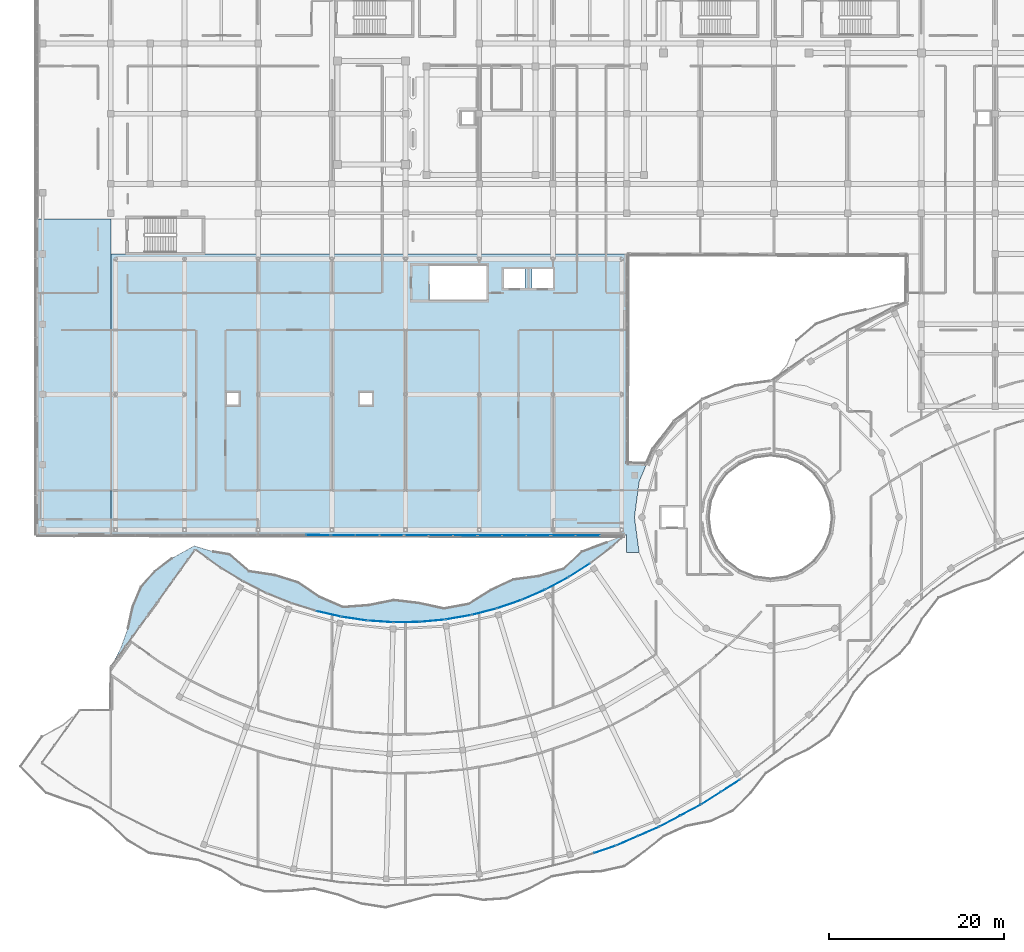
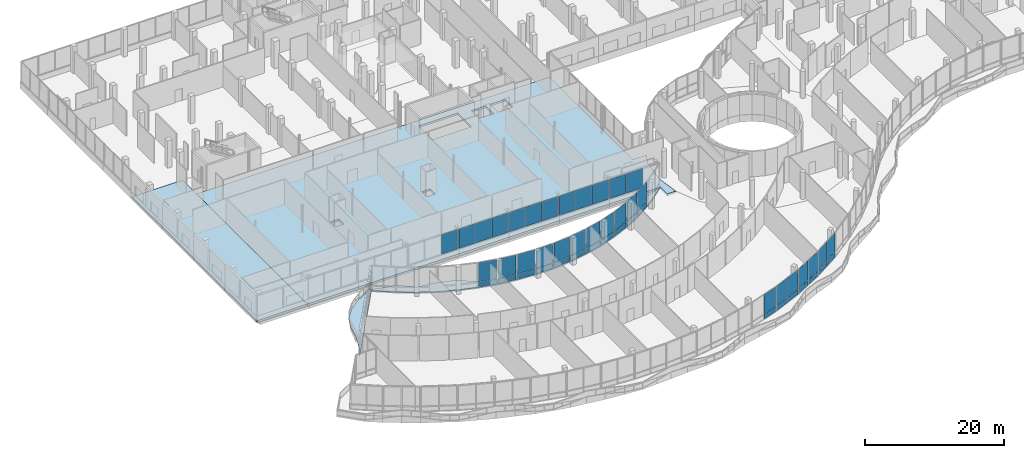
# One storey, part 116 of 155: 48 plates, 3 slabs, 20 elements without a shape of their own.
"""IFC4 building model written with IfcOpenShell, lengths in metres."""

import ifcopenshell
import ifcopenshell.guid

model = None  # the IFC model being written
_history = None  # IfcOwnerHistory: only IFC2X3 demands one
_inside = {}  # id of a spatial element -> (the spatial element, [elements in it])
_under = {}  # id of a project, library or spatial element -> (it, [spatial elements below it])
_declared = {}  # id of a project -> (the project, [libraries it declares])
_typed = {}  # id of a type object -> (the type object, [elements of that type])
_made_of = {}  # id of a material, layer set ... -> (it, [elements and type objects made of it])


def new_model(schema):
    """Start an empty IFC model of exactly this schema.

    Asked for "IFC4X3", IfcOpenShell would pick the latest addendum, in which some entities
    have other attributes; the version numbers below select the first issue.
    IFC2X3 requires an IfcOwnerHistory on every rooted entity: one is made here for all.
    """
    global model, _history
    if schema == "IFC4X3":
        model = ifcopenshell.file(schema_version=(4, 3, 0, 0))
    else:
        model = ifcopenshell.file(schema=schema)
    _inside.clear()
    _under.clear()
    _declared.clear()
    _typed.clear()
    _made_of.clear()
    _history = None
    if model.schema == "IFC2X3":
        org = make("IfcOrganization", Name="unknown")
        user = make(
            "IfcPersonAndOrganization",
            ThePerson=make("IfcPerson", FamilyName="unknown"),
            TheOrganization=org,
        )
        app = make(
            "IfcApplication",
            ApplicationDeveloper=org,
            Version="unknown",
            ApplicationFullName="unknown",
            ApplicationIdentifier="unknown",
        )
        _history = make(
            "IfcOwnerHistory",
            OwningUser=user,
            OwningApplication=app,
            ChangeAction="ADDED",
            CreationDate=0,
        )
    return model


def make(cls, **values):
    """One entity of the class cls with the attributes given. An attribute that is None is left unset."""
    return model.create_entity(
        cls, **{name: value for name, value in values.items() if value is not None}
    )


def rooted(cls, **values):
    """An entity with a GlobalId (a new one), such as an element, a storey or a relation."""
    return make(cls, GlobalId=ifcopenshell.guid.new(), OwnerHistory=_history, **values)


def si_unit(unit_type, name, prefix=None):
    """IfcSIUnit, for example si_unit("LENGTHUNIT", "METRE", prefix="MILLI")."""
    return make("IfcSIUnit", UnitType=unit_type, Prefix=prefix, Name=name)


def assignment(units):
    """IfcUnitAssignment: the units of a project."""
    return None if units is None else make("IfcUnitAssignment", Units=units)


def point(xyz):
    """IfcCartesianPoint."""
    return None if xyz is None else make("IfcCartesianPoint", Coordinates=xyz)


def direction(xyz):
    """IfcDirection."""
    return None if xyz is None else make("IfcDirection", DirectionRatios=xyz)


def frame(location, z_axis=None, x_axis=None):
    """IfcAxis2Placement3D, a coordinate frame: its origin and axes. An axis left out is left unset."""
    return make(
        "IfcAxis2Placement3D",
        Location=point(location),
        Axis=direction(z_axis),
        RefDirection=direction(x_axis),
    )


def frame_2d(location, x_axis=None):
    """IfcAxis2Placement2D, a coordinate frame in the plane: its origin and x axis."""
    return make(
        "IfcAxis2Placement2D", Location=point(location), RefDirection=direction(x_axis)
    )


def origin():
    """The frame at (0, 0, 0) with its axes left unset."""
    return frame((0.0, 0.0, 0.0))


def origin_2d():
    """The frame at (0, 0) in the plane with its x axis left unset."""
    return frame_2d((0.0, 0.0))


def place(relative_to, where):
    """IfcLocalPlacement: puts the frame where relative to a parent placement (None: the world)."""
    return make(
        "IfcLocalPlacement", PlacementRelTo=relative_to, RelativePlacement=where
    )


def context(
    kind, dimensions, precision=None, world=None, true_north=None, identifier=None
):
    """IfcGeometricRepresentationContext, for example the 3D "Model" context."""
    return make(
        "IfcGeometricRepresentationContext",
        ContextIdentifier=identifier,
        ContextType=kind,
        CoordinateSpaceDimension=dimensions,
        Precision=precision,
        WorldCoordinateSystem=world,
        TrueNorth=true_north,
    )


def subcontext(parent, identifier, kind, view, scale=None):
    """IfcGeometricRepresentationSubContext, for example "Body" below "Model"."""
    return make(
        "IfcGeometricRepresentationSubContext",
        ContextIdentifier=identifier,
        ContextType=kind,
        ParentContext=parent,
        TargetScale=scale,
        TargetView=view,
    )


def project(units=None, contexts=None):
    """IfcProject with its units and contexts."""
    return rooted(
        "IfcProject",
        Name="project",
        RepresentationContexts=contexts,
        UnitsInContext=assignment(units),
    )


def spatial(cls, under=None, at=None, **own):
    """A site, building, storey or space (cls), placed at a placement, below another one or the project."""
    s = rooted(cls, ObjectPlacement=at, **own)
    if under is not None:
        _under.setdefault(under.id(), (under, []))[1].append(s)
    return s


def polyline(points):
    """IfcPolyline through the points."""
    return make("IfcPolyline", Points=[point(p) for p in points])


def profile(cls, at=None, kind="AREA", **sizes):
    """A parametric profile (cls). Its sizes go by their IFC names, for example OverallWidth=200.0."""
    return make(cls, ProfileType=kind, Position=at, **sizes)


def rectangle(**sizes):
    """IfcRectangleProfileDef."""
    return profile("IfcRectangleProfileDef", **sizes)


def outline(outer, holes=None, kind="AREA"):
    """IfcArbitraryClosedProfileDef: a profile drawn as a closed curve; with holes, ...WithVoids."""
    if holes is None:
        return make("IfcArbitraryClosedProfileDef", ProfileType=kind, OuterCurve=outer)
    return make(
        "IfcArbitraryProfileDefWithVoids",
        ProfileType=kind,
        OuterCurve=outer,
        InnerCurves=holes,
    )


def extrude(swept, where, along, depth):
    """IfcExtrudedAreaSolid: the profile swept, set in the frame where, extruded along a direction by depth."""
    return make(
        "IfcExtrudedAreaSolid",
        SweptArea=swept,
        Position=where,
        ExtrudedDirection=direction(along),
        Depth=depth,
    )


def shape(context_of_items, identifier, shape_type, items):
    """IfcShapeRepresentation: the items that make up one representation, for example the "Body"."""
    return make(
        "IfcShapeRepresentation",
        ContextOfItems=context_of_items,
        RepresentationIdentifier=identifier,
        RepresentationType=shape_type,
        Items=items,
    )


def material(Name=None, Category=None):
    """IfcMaterial."""
    return make("IfcMaterial", Name=Name, Category=Category)


def layer(
    of_material, thickness, ventilated=None, Name=None, Category=None, Priority=None
):
    """IfcMaterialLayer: one layer of a wall or slab, of a material (None: an air gap)."""
    return make(
        "IfcMaterialLayer",
        Material=of_material,
        LayerThickness=thickness,
        IsVentilated=ventilated,
        Name=Name,
        Category=Category,
        Priority=Priority,
    )


def layer_set(layers, Name=None):
    """IfcMaterialLayerSet."""
    return make("IfcMaterialLayerSet", MaterialLayers=layers, LayerSetName=Name)


def made_of(thing, what):
    """Note that an element or type object is made of a material, layer set ...; save() writes the relation."""
    if what is not None:
        _made_of.setdefault(what.id(), (what, []))[1].append(thing)
    return thing


def type_object(cls, material=None, **own):
    """A type object (cls), such as IfcWallType, which elements share."""
    return made_of(rooted(cls, **own), material)


def element(
    cls,
    number,
    at=None,
    inside=None,
    cuts=None,
    type_object=None,
    material=None,
    context=None,
    identifier="Body",
    shape_type=None,
    held_by="IfcProductDefinitionShape",
    body=None,
    shapes=None,
    **own,
):
    """One element of the class cls, such as IfcWall. Its Tag is "e" and its number.

    at: its placement. inside: the storey or other place that contains it. cuts: it is an
    opening in that element (IfcRelVoidsElement). A single representation is given by context,
    identifier, shape_type and body (its items); several are given by shapes. held_by: the class
    of the entity that holds the representations. save() writes the other relations.
    """
    e = rooted(cls, Tag="e%d" % number, ObjectPlacement=at, **own)
    if body is not None:
        shapes = [shape(context, identifier, shape_type, body)]
    if shapes is not None:
        e.Representation = make(held_by, Representations=shapes)
    if inside is not None:
        _inside.setdefault(inside.id(), (inside, []))[1].append(e)
    if cuts is not None:
        rooted(
            "IfcRelVoidsElement", RelatingBuildingElement=cuts, RelatedOpeningElement=e
        )
    if type_object is not None:
        _typed.setdefault(type_object.id(), (type_object, []))[1].append(e)
    return made_of(e, material)


def aggregate(whole, parts):
    """IfcRelAggregates: a whole, such as a stair, and the parts it consists of."""
    return rooted("IfcRelAggregates", RelatingObject=whole, RelatedObjects=parts)


def save(model, path):
    """Write the relations noted so far, then the file.

    IfcRelAggregates (storeys below a building ...), IfcRelContainedInSpatialStructure (elements
    in a storey), IfcRelDefinesByType, IfcRelAssociatesMaterial and IfcRelDeclares: one each for
    every whole, place, type object, material and project.
    """
    for whole, parts in _under.values():
        aggregate(whole, parts)
    for where, things in _inside.values():
        rooted(
            "IfcRelContainedInSpatialStructure",
            RelatedElements=things,
            RelatingStructure=where,
        )
    for kind, things in _typed.values():
        rooted("IfcRelDefinesByType", RelatedObjects=things, RelatingType=kind)
    for what, things in _made_of.values():
        rooted("IfcRelAssociatesMaterial", RelatedObjects=things, RelatingMaterial=what)
    for by, libraries in _declared.values():
        rooted("IfcRelDeclares", RelatingContext=by, RelatedDefinitions=libraries)
    model.write(path)


model = new_model("IFC4")

# Units and contexts
model_context = context("Model", 3, precision=1e-05, world=origin(), true_north=direction((0.0, 1.0)))
body_context = subcontext(model_context, "Body", "Model", "MODEL_VIEW")
ifc_project = project(units=[si_unit("LENGTHUNIT", "METRE"), si_unit("AREAUNIT", "SQUARE_METRE"), si_unit("VOLUMEUNIT", "CUBIC_METRE"), si_unit("PLANEANGLEUNIT", "RADIAN"), si_unit("MASSUNIT", "GRAM", prefix="KILO")], contexts=[model_context])

# Site, building, storey
site_placement = place(None, origin())
site = spatial("IfcSite", under=ifc_project, at=site_placement, CompositionType="ELEMENT")
building_placement = place(site_placement, origin())
building = spatial("IfcBuilding", under=site, at=building_placement, Name="Selatvlak General Hospital", CompositionType="ELEMENT")
storey_placement = place(building_placement, frame((0.0, 0.0, 10.199951171875)))
storey = spatial("IfcBuildingStorey", under=building, at=storey_placement, Name="L02", CompositionType="ELEMENT", Elevation=10.199951171875)

# Curtain wall, plates
ifc_material_1 = material(Name="Solar-control Low-E double glazing", Category="glass")
curtain_wall_type_1 = type_object("IfcCurtainWallType", Name="CW-CW-01", PredefinedType="USERDEFINED", material=ifc_material_1)
curtain_wall_1_placement = place(storey_placement, origin())
curtain_wall_1 = element("IfcCurtainWall", 1, at=curtain_wall_1_placement, inside=storey, type_object=curtain_wall_type_1, Name="Glazed facade curtain wall CW-L02-0299", ObjectType="UNITISED CURTAIN WALL", PredefinedType="USERDEFINED")
ifc_layer_1 = layer(ifc_material_1, 0.028076171875, Name="Solar-control Low-E double glazing", Category="glass")
ifc_layer_set_1 = layer_set([ifc_layer_1], Name="Solar-control Low-E double glazing")
plate_type = type_object("IfcPlateType", Name="CWP-01", PredefinedType="CURTAIN_PANEL", material=ifc_layer_set_1)
plate_1_placement = place(storey_placement, frame((93.443115234375, 23.38671875, 0.06494140625), z_axis=(0.0, 0.0, 1.0), x_axis=(-0.842264530381, -0.539064431086, 0.0)))
plate_1 = element("IfcPlate", 2, at=plate_1_placement, type_object=plate_type, Name="CW-01 panel 1.1", PredefinedType="CURTAIN_PANEL", context=body_context, shape_type="SweptSolid", body=[
    extrude(rectangle(XDim=2.5458984375, YDim=0.028076171875, at=origin_2d()), origin(), (0.0, 0.0, 1.0), 0.8525390625),
])
plate_2_placement = place(storey_placement, frame((93.443115234375, 23.38671875, 0.982421875), z_axis=(0.0, 0.0, 1.0), x_axis=(-0.842264530381, -0.539064431086, 0.0)))
plate_2 = element("IfcPlate", 3, at=plate_2_placement, type_object=plate_type, Name="CW-01 panel 1.2", PredefinedType="CURTAIN_PANEL", context=body_context, shape_type="SweptSolid", body=[
    extrude(rectangle(XDim=2.5458984375, YDim=0.028076171875, at=origin_2d()), origin(), (0.0, 0.0, 1.0), 3.41259765625),
])
plate_3_placement = place(storey_placement, frame((91.243896484375, 21.979248046875, 0.06494140625), z_axis=(0.0, 0.0, 1.0), x_axis=(-0.842264530381, -0.539064431086, 0.0)))
plate_3 = element("IfcPlate", 4, at=plate_3_placement, type_object=plate_type, Name="CW-01 panel 2.1", PredefinedType="CURTAIN_PANEL", context=body_context, shape_type="SweptSolid", body=[
    extrude(rectangle(XDim=2.5458984375, YDim=0.028076171875, at=origin_2d()), origin(), (0.0, 0.0, 1.0), 0.8525390625),
])
plate_4_placement = place(storey_placement, frame((91.243896484375, 21.979248046875, 0.982421875), z_axis=(0.0, 0.0, 1.0), x_axis=(-0.842264530381, -0.539064431086, 0.0)))
plate_4 = element("IfcPlate", 5, at=plate_4_placement, type_object=plate_type, Name="CW-01 panel 2.2", PredefinedType="CURTAIN_PANEL", context=body_context, shape_type="SweptSolid", body=[
    extrude(rectangle(XDim=2.5458984375, YDim=0.028076171875, at=origin_2d()), origin(), (0.0, 0.0, 1.0), 3.41259765625),
])
aggregate(curtain_wall_1, [plate_1, plate_2, plate_3, plate_4])

curtain_wall_type_2 = type_object("IfcCurtainWallType", Name="CW-CW-02", PredefinedType="USERDEFINED", material=ifc_material_1)
curtain_wall_2_placement = place(storey_placement, origin())
curtain_wall_2 = element("IfcCurtainWall", 6, at=curtain_wall_2_placement, inside=storey, type_object=curtain_wall_type_2, Name="Glazed facade curtain wall CW-L02-0300", ObjectType="UNITISED CURTAIN WALL", PredefinedType="USERDEFINED")
plate_5_placement = place(storey_placement, frame((88.866943359375, 20.58984375, 0.06494140625), z_axis=(0.0, 0.0, 1.0), x_axis=(-0.882426269162, -0.470450719515, 0.0)))
plate_5 = element("IfcPlate", 7, at=plate_5_placement, type_object=plate_type, Name="CW-02 panel 1.1", PredefinedType="CURTAIN_PANEL", context=body_context, shape_type="SweptSolid", body=[
    extrude(rectangle(XDim=2.544677734375, YDim=0.028076171875, at=origin_2d()), origin(), (0.0, 0.0, 1.0), 0.8525390625),
])
plate_6_placement = place(storey_placement, frame((88.866943359375, 20.58984375, 0.982421875), z_axis=(0.0, 0.0, 1.0), x_axis=(-0.882426269162, -0.470450719515, 0.0)))
plate_6 = element("IfcPlate", 8, at=plate_6_placement, type_object=plate_type, Name="CW-02 panel 1.2", PredefinedType="CURTAIN_PANEL", context=body_context, shape_type="SweptSolid", body=[
    extrude(rectangle(XDim=2.544677734375, YDim=0.028076171875, at=origin_2d()), origin(), (0.0, 0.0, 1.0), 3.41259765625),
])
plate_7_placement = place(storey_placement, frame((86.564208984375, 19.362060546875, 0.06494140625), z_axis=(0.0, 0.0, 1.0), x_axis=(-0.882426269162, -0.470450719515, 0.0)))
plate_7 = element("IfcPlate", 9, at=plate_7_placement, type_object=plate_type, Name="CW-02 panel 2.1", PredefinedType="CURTAIN_PANEL", context=body_context, shape_type="SweptSolid", body=[
    extrude(rectangle(XDim=2.544677734375, YDim=0.028076171875, at=origin_2d()), origin(), (0.0, 0.0, 1.0), 0.8525390625),
])
plate_8_placement = place(storey_placement, frame((86.564208984375, 19.362060546875, 0.982421875), z_axis=(0.0, 0.0, 1.0), x_axis=(-0.882426269162, -0.470450719515, 0.0)))
plate_8 = element("IfcPlate", 10, at=plate_8_placement, type_object=plate_type, Name="CW-02 panel 2.2", PredefinedType="CURTAIN_PANEL", context=body_context, shape_type="SweptSolid", body=[
    extrude(rectangle(XDim=2.544677734375, YDim=0.028076171875, at=origin_2d()), origin(), (0.0, 0.0, 1.0), 3.41259765625),
])
aggregate(curtain_wall_2, [plate_5, plate_6, plate_7, plate_8])

curtain_wall_3_placement = place(storey_placement, origin())
curtain_wall_3 = element("IfcCurtainWall", 11, at=curtain_wall_3_placement, inside=storey, type_object=curtain_wall_type_1, Name="Glazed facade curtain wall CW-L02-0301", ObjectType="UNITISED CURTAIN WALL", PredefinedType="USERDEFINED")
plate_9_placement = place(storey_placement, frame((84.083984375, 18.16552734375, 0.06494140625), z_axis=(0.0, 0.0, 1.0), x_axis=(-0.916781197822, -0.399389828763, 0.0)))
plate_9 = element("IfcPlate", 12, at=plate_9_placement, type_object=plate_type, Name="CW-01 panel 1.1", PredefinedType="CURTAIN_PANEL", context=body_context, shape_type="SweptSolid", body=[
    extrude(rectangle(XDim=2.546630859375, YDim=0.028076171875, at=origin_2d()), origin(), (0.0, 0.0, 1.0), 0.8525390625),
])
plate_10_placement = place(storey_placement, frame((84.083984375, 18.16552734375, 0.982421875), z_axis=(0.0, 0.0, 1.0), x_axis=(-0.916781197822, -0.399389828763, 0.0)))
plate_10 = element("IfcPlate", 13, at=plate_10_placement, type_object=plate_type, Name="CW-01 panel 1.2", PredefinedType="CURTAIN_PANEL", context=body_context, shape_type="SweptSolid", body=[
    extrude(rectangle(XDim=2.546630859375, YDim=0.028076171875, at=origin_2d()), origin(), (0.0, 0.0, 1.0), 3.41259765625),
])
plate_11_placement = place(storey_placement, frame((81.68994140625, 17.12255859375, 0.06494140625), z_axis=(0.0, 0.0, 1.0), x_axis=(-0.916781197822, -0.399389828763, 0.0)))
plate_11 = element("IfcPlate", 14, at=plate_11_placement, type_object=plate_type, Name="CW-01 panel 2.1", PredefinedType="CURTAIN_PANEL", context=body_context, shape_type="SweptSolid", body=[
    extrude(rectangle(XDim=2.546630859375, YDim=0.028076171875, at=origin_2d()), origin(), (0.0, 0.0, 1.0), 0.8525390625),
])
plate_12_placement = place(storey_placement, frame((81.68994140625, 17.12255859375, 0.982421875), z_axis=(0.0, 0.0, 1.0), x_axis=(-0.916781197822, -0.399389828763, 0.0)))
plate_12 = element("IfcPlate", 15, at=plate_12_placement, type_object=plate_type, Name="CW-01 panel 2.2", PredefinedType="CURTAIN_PANEL", context=body_context, shape_type="SweptSolid", body=[
    extrude(rectangle(XDim=2.546630859375, YDim=0.028076171875, at=origin_2d()), origin(), (0.0, 0.0, 1.0), 3.41259765625),
])
aggregate(curtain_wall_3, [plate_9, plate_10, plate_11, plate_12])

curtain_wall_4_placement = place(storey_placement, origin())
curtain_wall_4 = element("IfcCurtainWall", 16, at=curtain_wall_4_placement, inside=storey, type_object=curtain_wall_type_2, Name="Glazed facade curtain wall CW-L02-0302", ObjectType="UNITISED CURTAIN WALL", PredefinedType="USERDEFINED")
plate_13_placement = place(storey_placement, frame((79.121826171875, 16.12646484375, 0.06494140625), z_axis=(0.0, 0.0, 1.0), x_axis=(-0.945848129563, -0.324609481996, 0.0)))
plate_13 = element("IfcPlate", 17, at=plate_13_placement, type_object=plate_type, Name="CW-02 panel 1.1", PredefinedType="CURTAIN_PANEL", context=body_context, shape_type="SweptSolid", body=[
    extrude(rectangle(XDim=2.547119140625, YDim=0.028076171875, at=origin_2d()), origin(), (0.0, 0.0, 1.0), 0.8525390625),
])
plate_14_placement = place(storey_placement, frame((79.121826171875, 16.12646484375, 0.982421875), z_axis=(0.0, 0.0, 1.0), x_axis=(-0.945848129563, -0.324609481996, 0.0)))
plate_14 = element("IfcPlate", 18, at=plate_14_placement, type_object=plate_type, Name="CW-02 panel 1.2", PredefinedType="CURTAIN_PANEL", context=body_context, shape_type="SweptSolid", body=[
    extrude(rectangle(XDim=2.547119140625, YDim=0.028076171875, at=origin_2d()), origin(), (0.0, 0.0, 1.0), 3.41259765625),
])
aggregate(curtain_wall_4, [plate_13, plate_14])

curtain_wall_5_placement = place(storey_placement, origin())
curtain_wall_5 = element("IfcCurtainWall", 19, at=curtain_wall_5_placement, inside=storey, type_object=curtain_wall_type_2, Name="Glazed facade curtain wall CW-L02-0326", ObjectType="UNITISED CURTAIN WALL", PredefinedType="USERDEFINED")
plate_15_placement = place(storey_placement, frame((47.633056640625, 42.9765625, 0.06494140625), z_axis=(0.0, 0.0, 1.0), x_axis=(0.974478297582, -0.224481730976, 0.0)))
plate_15 = element("IfcPlate", 20, at=plate_15_placement, type_object=plate_type, Name="CW-02 panel 1.1", PredefinedType="CURTAIN_PANEL", context=body_context, shape_type="SweptSolid", body=[
    extrude(rectangle(XDim=2.77001953125, YDim=0.028076171875, at=origin_2d()), origin(), (0.0, 0.0, 1.0), 0.8525390625),
])
plate_16_placement = place(storey_placement, frame((47.633056640625, 42.9765625, 0.982421875), z_axis=(0.0, 0.0, 1.0), x_axis=(0.974478297582, -0.224481730976, 0.0)))
plate_16 = element("IfcPlate", 21, at=plate_16_placement, type_object=plate_type, Name="CW-02 panel 1.2", PredefinedType="CURTAIN_PANEL", context=body_context, shape_type="SweptSolid", body=[
    extrude(rectangle(XDim=2.77001953125, YDim=0.028076171875, at=origin_2d()), origin(), (0.0, 0.0, 1.0), 3.41259765625),
])
aggregate(curtain_wall_5, [plate_15, plate_16])

curtain_wall_6_placement = place(storey_placement, origin())
curtain_wall_6 = element("IfcCurtainWall", 22, at=curtain_wall_6_placement, inside=storey, type_object=curtain_wall_type_1, Name="Glazed facade curtain wall CW-L02-0327", ObjectType="UNITISED CURTAIN WALL", PredefinedType="USERDEFINED")
plate_17_placement = place(storey_placement, frame((50.56005859375, 42.427001953125, 0.06494140625), z_axis=(0.0, 0.0, 1.0), x_axis=(0.989262603626, -0.146148900327, 0.0)))
plate_17 = element("IfcPlate", 23, at=plate_17_placement, type_object=plate_type, Name="CW-01 panel 1.1", PredefinedType="CURTAIN_PANEL", context=body_context, shape_type="SweptSolid", body=[
    extrude(rectangle(XDim=2.771240234375, YDim=0.028076171875, at=origin_2d()), origin(), (0.0, 0.0, 1.0), 0.8525390625),
])
plate_18_placement = place(storey_placement, frame((50.56005859375, 42.427001953125, 0.982421875), z_axis=(0.0, 0.0, 1.0), x_axis=(0.989262603626, -0.146148900327, 0.0)))
plate_18 = element("IfcPlate", 24, at=plate_18_placement, type_object=plate_type, Name="CW-01 panel 1.2", PredefinedType="CURTAIN_PANEL", context=body_context, shape_type="SweptSolid", body=[
    extrude(rectangle(XDim=2.771240234375, YDim=0.028076171875, at=origin_2d()), origin(), (0.0, 0.0, 1.0), 3.41259765625),
])
aggregate(curtain_wall_6, [plate_17, plate_18])

curtain_wall_7_placement = place(storey_placement, origin())
curtain_wall_7 = element("IfcCurtainWall", 25, at=curtain_wall_7_placement, inside=storey, type_object=curtain_wall_type_2, Name="Glazed facade curtain wall CW-L02-0328", ObjectType="UNITISED CURTAIN WALL", PredefinedType="USERDEFINED")
plate_19_placement = place(storey_placement, frame((53.52294921875, 42.111572265625, 0.06494140625), z_axis=(0.0, 0.0, 1.0), x_axis=(0.997740728699, -0.067182127799, 0.0)))
plate_19 = element("IfcPlate", 26, at=plate_19_placement, type_object=plate_type, Name="CW-02 panel 1.1", PredefinedType="CURTAIN_PANEL", context=body_context, shape_type="SweptSolid", body=[
    extrude(rectangle(XDim=2.7724609375, YDim=0.028076171875, at=origin_2d()), origin(), (0.0, 0.0, 1.0), 0.8525390625),
])
plate_20_placement = place(storey_placement, frame((53.52294921875, 42.111572265625, 0.982421875), z_axis=(0.0, 0.0, 1.0), x_axis=(0.997740728699, -0.067182127799, 0.0)))
plate_20 = element("IfcPlate", 27, at=plate_20_placement, type_object=plate_type, Name="CW-02 panel 1.2", PredefinedType="CURTAIN_PANEL", context=body_context, shape_type="SweptSolid", body=[
    extrude(rectangle(XDim=2.7724609375, YDim=0.028076171875, at=origin_2d()), origin(), (0.0, 0.0, 1.0), 3.41259765625),
])
aggregate(curtain_wall_7, [plate_19, plate_20])

curtain_wall_8_placement = place(storey_placement, origin())
curtain_wall_8 = element("IfcCurtainWall", 28, at=curtain_wall_8_placement, inside=storey, type_object=curtain_wall_type_1, Name="Glazed facade curtain wall CW-L02-0329", ObjectType="UNITISED CURTAIN WALL", PredefinedType="USERDEFINED")
plate_21_placement = place(storey_placement, frame((56.50048828125, 42.032470703125, 0.06494140625), z_axis=(0.0, 0.0, 1.0), x_axis=(0.999918562587, 0.012761982337, 0.0)))
plate_21 = element("IfcPlate", 29, at=plate_21_placement, type_object=plate_type, Name="CW-01 panel 1.1", PredefinedType="CURTAIN_PANEL", context=body_context, shape_type="SweptSolid", body=[
    extrude(rectangle(XDim=2.769287109375, YDim=0.028076171875, at=origin_2d()), origin(), (0.0, 0.0, 1.0), 0.8525390625),
])
plate_22_placement = place(storey_placement, frame((56.50048828125, 42.032470703125, 0.982421875), z_axis=(0.0, 0.0, 1.0), x_axis=(0.999918562587, 0.012761982337, 0.0)))
plate_22 = element("IfcPlate", 30, at=plate_22_placement, type_object=plate_type, Name="CW-01 panel 1.2", PredefinedType="CURTAIN_PANEL", context=body_context, shape_type="SweptSolid", body=[
    extrude(rectangle(XDim=2.769287109375, YDim=0.028076171875, at=origin_2d()), origin(), (0.0, 0.0, 1.0), 3.41259765625),
])
aggregate(curtain_wall_8, [plate_21, plate_22])

curtain_wall_9_placement = place(storey_placement, origin())
curtain_wall_9 = element("IfcCurtainWall", 31, at=curtain_wall_9_placement, inside=storey, type_object=curtain_wall_type_2, Name="Glazed facade curtain wall CW-L02-0330", ObjectType="UNITISED CURTAIN WALL", PredefinedType="USERDEFINED")
plate_23_placement = place(storey_placement, frame((59.474609375, 42.19091796875, 0.06494140625), z_axis=(0.0, 0.0, 1.0), x_axis=(0.99572483852, 0.092369074668, 0.0)))
plate_23 = element("IfcPlate", 32, at=plate_23_placement, type_object=plate_type, Name="CW-02 panel 1.1", PredefinedType="CURTAIN_PANEL", context=body_context, shape_type="SweptSolid", body=[
    extrude(rectangle(XDim=2.771484375, YDim=0.028076171875, at=origin_2d()), origin(), (0.0, 0.0, 1.0), 0.8525390625),
])
plate_24_placement = place(storey_placement, frame((59.474609375, 42.19091796875, 0.982421875), z_axis=(0.0, 0.0, 1.0), x_axis=(0.99572483852, 0.092369074668, 0.0)))
plate_24 = element("IfcPlate", 33, at=plate_24_placement, type_object=plate_type, Name="CW-02 panel 1.2", PredefinedType="CURTAIN_PANEL", context=body_context, shape_type="SweptSolid", body=[
    extrude(rectangle(XDim=2.771484375, YDim=0.028076171875, at=origin_2d()), origin(), (0.0, 0.0, 1.0), 3.41259765625),
])
aggregate(curtain_wall_9, [plate_23, plate_24])

curtain_wall_10_placement = place(storey_placement, origin())
curtain_wall_10 = element("IfcCurtainWall", 34, at=curtain_wall_10_placement, inside=storey, type_object=curtain_wall_type_1, Name="Glazed facade curtain wall CW-L02-0331", ObjectType="UNITISED CURTAIN WALL", PredefinedType="USERDEFINED")
plate_25_placement = place(storey_placement, frame((62.427001953125, 42.58544921875, 0.06494140625), z_axis=(0.0, 0.0, 1.0), x_axis=(0.985330444651, 0.170657302344, 0.0)))
plate_25 = element("IfcPlate", 35, at=plate_25_placement, type_object=plate_type, Name="CW-01 panel 1.1", PredefinedType="CURTAIN_PANEL", context=body_context, shape_type="SweptSolid", body=[
    extrude(rectangle(XDim=2.7705078125, YDim=0.028076171875, at=origin_2d()), origin(), (0.0, 0.0, 1.0), 0.8525390625),
])
plate_26_placement = place(storey_placement, frame((62.427001953125, 42.58544921875, 0.982421875), z_axis=(0.0, 0.0, 1.0), x_axis=(0.985330444651, 0.170657302344, 0.0)))
plate_26 = element("IfcPlate", 36, at=plate_26_placement, type_object=plate_type, Name="CW-01 panel 1.2", PredefinedType="CURTAIN_PANEL", context=body_context, shape_type="SweptSolid", body=[
    extrude(rectangle(XDim=2.7705078125, YDim=0.028076171875, at=origin_2d()), origin(), (0.0, 0.0, 1.0), 3.41259765625),
])
aggregate(curtain_wall_10, [plate_25, plate_26])

curtain_wall_11_placement = place(storey_placement, origin())
curtain_wall_11 = element("IfcCurtainWall", 37, at=curtain_wall_11_placement, inside=storey, type_object=curtain_wall_type_2, Name="Glazed facade curtain wall CW-L02-0332", ObjectType="UNITISED CURTAIN WALL", PredefinedType="USERDEFINED")
plate_27_placement = place(storey_placement, frame((65.340576171875, 43.212890625, 0.06494140625), z_axis=(0.0, 0.0, 1.0), x_axis=(0.968604360907, 0.248607304863, 0.0)))
plate_27 = element("IfcPlate", 38, at=plate_27_placement, type_object=plate_type, Name="CW-02 panel 1.1", PredefinedType="CURTAIN_PANEL", context=body_context, shape_type="SweptSolid", body=[
    extrude(rectangle(XDim=2.774169921875, YDim=0.028076171875, at=origin_2d()), origin(), (0.0, 0.0, 1.0), 0.8525390625),
])
plate_28_placement = place(storey_placement, frame((65.340576171875, 43.212890625, 0.982421875), z_axis=(0.0, 0.0, 1.0), x_axis=(0.968604360907, 0.248607304863, 0.0)))
plate_28 = element("IfcPlate", 39, at=plate_28_placement, type_object=plate_type, Name="CW-02 panel 1.2", PredefinedType="CURTAIN_PANEL", context=body_context, shape_type="SweptSolid", body=[
    extrude(rectangle(XDim=2.774169921875, YDim=0.028076171875, at=origin_2d()), origin(), (0.0, 0.0, 1.0), 3.41259765625),
])
aggregate(curtain_wall_11, [plate_27, plate_28])

curtain_wall_12_placement = place(storey_placement, origin())
curtain_wall_12 = element("IfcCurtainWall", 40, at=curtain_wall_12_placement, inside=storey, type_object=curtain_wall_type_1, Name="Glazed facade curtain wall CW-L02-0333", ObjectType="UNITISED CURTAIN WALL", PredefinedType="USERDEFINED")
plate_29_placement = place(storey_placement, frame((68.194580078125, 44.069580078125, 0.06494140625), z_axis=(0.0, 0.0, 1.0), x_axis=(0.945888500226, 0.324491825998, 0.0)))
plate_29 = element("IfcPlate", 41, at=plate_29_placement, type_object=plate_type, Name="CW-01 panel 1.1", PredefinedType="CURTAIN_PANEL", context=body_context, shape_type="SweptSolid", body=[
    extrude(rectangle(XDim=2.77001953125, YDim=0.028076171875, at=origin_2d()), origin(), (0.0, 0.0, 1.0), 0.8525390625),
])
plate_30_placement = place(storey_placement, frame((68.194580078125, 44.069580078125, 0.982421875), z_axis=(0.0, 0.0, 1.0), x_axis=(0.945888500226, 0.324491825998, 0.0)))
plate_30 = element("IfcPlate", 42, at=plate_30_placement, type_object=plate_type, Name="CW-01 panel 1.2", PredefinedType="CURTAIN_PANEL", context=body_context, shape_type="SweptSolid", body=[
    extrude(rectangle(XDim=2.77001953125, YDim=0.028076171875, at=origin_2d()), origin(), (0.0, 0.0, 1.0), 3.41259765625),
])
aggregate(curtain_wall_12, [plate_29, plate_30])

curtain_wall_13_placement = place(storey_placement, origin())
curtain_wall_13 = element("IfcCurtainWall", 43, at=curtain_wall_13_placement, inside=storey, type_object=curtain_wall_type_2, Name="Glazed facade curtain wall CW-L02-0334", ObjectType="UNITISED CURTAIN WALL", PredefinedType="USERDEFINED")
plate_31_placement = place(storey_placement, frame((70.968994140625, 45.1494140625, 0.06494140625), z_axis=(0.0, 0.0, 1.0), x_axis=(0.916899961497, 0.399117101371, 0.0)))
plate_31 = element("IfcPlate", 44, at=plate_31_placement, type_object=plate_type, Name="CW-02 panel 1.1", PredefinedType="CURTAIN_PANEL", context=body_context, shape_type="SweptSolid", body=[
    extrude(rectangle(XDim=2.768798828125, YDim=0.028076171875, at=origin_2d()), origin(), (0.0, 0.0, 1.0), 0.8525390625),
])
plate_32_placement = place(storey_placement, frame((70.968994140625, 45.1494140625, 0.982421875), z_axis=(0.0, 0.0, 1.0), x_axis=(0.916899961497, 0.399117101371, 0.0)))
plate_32 = element("IfcPlate", 45, at=plate_32_placement, type_object=plate_type, Name="CW-02 panel 1.2", PredefinedType="CURTAIN_PANEL", context=body_context, shape_type="SweptSolid", body=[
    extrude(rectangle(XDim=2.768798828125, YDim=0.028076171875, at=origin_2d()), origin(), (0.0, 0.0, 1.0), 3.41259765625),
])
aggregate(curtain_wall_13, [plate_31, plate_32])

curtain_wall_14_placement = place(storey_placement, origin())
curtain_wall_14 = element("IfcCurtainWall", 46, at=curtain_wall_14_placement, inside=storey, type_object=curtain_wall_type_1, Name="Glazed facade curtain wall CW-L02-0335", ObjectType="UNITISED CURTAIN WALL", PredefinedType="USERDEFINED")
plate_33_placement = place(storey_placement, frame((73.650390625, 46.447998046875, 0.06494140625), z_axis=(0.0, 0.0, 1.0), x_axis=(0.88248634372, 0.470338020096, 0.0)))
plate_33 = element("IfcPlate", 47, at=plate_33_placement, type_object=plate_type, Name="CW-01 panel 1.1", PredefinedType="CURTAIN_PANEL", context=body_context, shape_type="SweptSolid", body=[
    extrude(rectangle(XDim=2.7744140625, YDim=0.028076171875, at=origin_2d()), origin(), (0.0, 0.0, 1.0), 0.8525390625),
])
plate_34_placement = place(storey_placement, frame((73.650390625, 46.447998046875, 0.982421875), z_axis=(0.0, 0.0, 1.0), x_axis=(0.88248634372, 0.470338020096, 0.0)))
plate_34 = element("IfcPlate", 48, at=plate_34_placement, type_object=plate_type, Name="CW-01 panel 1.2", PredefinedType="CURTAIN_PANEL", context=body_context, shape_type="SweptSolid", body=[
    extrude(rectangle(XDim=2.7744140625, YDim=0.028076171875, at=origin_2d()), origin(), (0.0, 0.0, 1.0), 3.41259765625),
])
aggregate(curtain_wall_14, [plate_33, plate_34])

curtain_wall_15_placement = place(storey_placement, origin())
curtain_wall_15 = element("IfcCurtainWall", 49, at=curtain_wall_15_placement, inside=storey, type_object=curtain_wall_type_2, Name="Glazed facade curtain wall CW-L02-0336", ObjectType="UNITISED CURTAIN WALL", PredefinedType="USERDEFINED")
plate_35_placement = place(storey_placement, frame((76.221435546875, 47.955078125, 0.06494140625), z_axis=(0.0, 0.0, 1.0), x_axis=(0.842196262178, 0.539171082287, 0.0)))
plate_35 = element("IfcPlate", 50, at=plate_35_placement, type_object=plate_type, Name="CW-02 panel 1.1", PredefinedType="CURTAIN_PANEL", context=body_context, shape_type="SweptSolid", body=[
    extrude(rectangle(XDim=2.770751953125, YDim=0.028076171875, at=origin_2d()), origin(), (0.0, 0.0, 1.0), 0.8525390625),
])
plate_36_placement = place(storey_placement, frame((76.221435546875, 47.955078125, 0.982421875), z_axis=(0.0, 0.0, 1.0), x_axis=(0.842196262178, 0.539171082287, 0.0)))
plate_36 = element("IfcPlate", 51, at=plate_36_placement, type_object=plate_type, Name="CW-02 panel 1.2", PredefinedType="CURTAIN_PANEL", context=body_context, shape_type="SweptSolid", body=[
    extrude(rectangle(XDim=2.770751953125, YDim=0.028076171875, at=origin_2d()), origin(), (0.0, 0.0, 1.0), 3.41259765625),
])
aggregate(curtain_wall_15, [plate_35, plate_36])

curtain_wall_16_placement = place(storey_placement, origin())
curtain_wall_16 = element("IfcCurtainWall", 52, at=curtain_wall_16_placement, inside=storey, type_object=curtain_wall_type_2, Name="Glazed facade curtain wall CW-L02-0339", ObjectType="UNITISED CURTAIN WALL", PredefinedType="USERDEFINED")
plate_37_placement = place(storey_placement, frame((77.160888671875, 51.902587890625, 1.0048828125), z_axis=(0.0, 0.0, 1.0), x_axis=(-0.999998379485, 0.001800285137, 0.0)))
plate_37 = element("IfcPlate", 53, at=plate_37_placement, type_object=plate_type, Name="CW-02 panel 2.1", PredefinedType="CURTAIN_PANEL", context=body_context, shape_type="SweptSolid", body=[
    extrude(rectangle(XDim=2.71240234375, YDim=0.028076171875, at=origin_2d()), origin(), (0.0, 0.0, 1.0), 3.389892578125),
])
plate_38_placement = place(storey_placement, frame((74.39990234375, 51.907470703125, 1.0048828125), z_axis=(0.0, 0.0, 1.0), x_axis=(-0.999998379485, 0.001800285137, 0.0)))
plate_38 = element("IfcPlate", 54, at=plate_38_placement, type_object=plate_type, Name="CW-02 panel 3.1", PredefinedType="CURTAIN_PANEL", context=body_context, shape_type="SweptSolid", body=[
    extrude(rectangle(XDim=2.679931640625, YDim=0.028076171875, at=origin_2d()), origin(), (0.0, 0.0, 1.0), 3.389892578125),
])
aggregate(curtain_wall_16, [plate_37, plate_38])

curtain_wall_17_placement = place(storey_placement, origin())
curtain_wall_17 = element("IfcCurtainWall", 55, at=curtain_wall_17_placement, inside=storey, type_object=curtain_wall_type_1, Name="Glazed facade curtain wall CW-L02-0340", ObjectType="UNITISED CURTAIN WALL", PredefinedType="USERDEFINED")
plate_39_placement = place(storey_placement, frame((71.518310546875, 51.91259765625, 1.0048828125), z_axis=(0.0, 0.0, 1.0), x_axis=(-0.99999835986, 0.001811153756, 0.0)))
plate_39 = element("IfcPlate", 56, at=plate_39_placement, type_object=plate_type, Name="CW-01 panel 1.1", PredefinedType="CURTAIN_PANEL", context=body_context, shape_type="SweptSolid", body=[
    extrude(rectangle(XDim=2.6630859375, YDim=0.028076171875, at=origin_2d()), origin(), (0.0, 0.0, 1.0), 3.389892578125),
])
plate_40_placement = place(storey_placement, frame((68.77392578125, 51.91748046875, 1.0048828125), z_axis=(0.0, 0.0, 1.0), x_axis=(-0.99999835986, 0.001811153756, 0.0)))
plate_40 = element("IfcPlate", 57, at=plate_40_placement, type_object=plate_type, Name="CW-01 panel 2.1", PredefinedType="CURTAIN_PANEL", context=body_context, shape_type="SweptSolid", body=[
    extrude(rectangle(XDim=2.695556640625, YDim=0.028076171875, at=origin_2d()), origin(), (0.0, 0.0, 1.0), 3.389892578125),
])
plate_41_placement = place(storey_placement, frame((66.029541015625, 51.92236328125, 1.0048828125), z_axis=(0.0, 0.0, 1.0), x_axis=(-0.99999835986, 0.001811153756, 0.0)))
plate_41 = element("IfcPlate", 58, at=plate_41_placement, type_object=plate_type, Name="CW-01 panel 3.1", PredefinedType="CURTAIN_PANEL", context=body_context, shape_type="SweptSolid", body=[
    extrude(rectangle(XDim=2.6630859375, YDim=0.028076171875, at=origin_2d()), origin(), (0.0, 0.0, 1.0), 3.389892578125),
])
aggregate(curtain_wall_17, [plate_39, plate_40, plate_41])

curtain_wall_18_placement = place(storey_placement, origin())
curtain_wall_18 = element("IfcCurtainWall", 59, at=curtain_wall_18_placement, inside=storey, type_object=curtain_wall_type_2, Name="Glazed facade curtain wall CW-L02-0341", ObjectType="UNITISED CURTAIN WALL", PredefinedType="USERDEFINED")
plate_42_placement = place(storey_placement, frame((63.156494140625, 51.927490234375, 1.0048828125), z_axis=(0.0, 0.0, 1.0), x_axis=(-0.99999835986, 0.001811153756, 0.0)))
plate_42 = element("IfcPlate", 60, at=plate_42_placement, type_object=plate_type, Name="CW-02 panel 1.1", PredefinedType="CURTAIN_PANEL", context=body_context, shape_type="SweptSolid", body=[
    extrude(rectangle(XDim=2.6630859375, YDim=0.028076171875, at=origin_2d()), origin(), (0.0, 0.0, 1.0), 3.389892578125),
])
plate_43_placement = place(storey_placement, frame((60.412109375, 51.9326171875, 1.0048828125), z_axis=(0.0, 0.0, 1.0), x_axis=(-0.99999835986, 0.001811153756, 0.0)))
plate_43 = element("IfcPlate", 61, at=plate_43_placement, type_object=plate_type, Name="CW-02 panel 2.1", PredefinedType="CURTAIN_PANEL", context=body_context, shape_type="SweptSolid", body=[
    extrude(rectangle(XDim=2.695556640625, YDim=0.028076171875, at=origin_2d()), origin(), (0.0, 0.0, 1.0), 3.389892578125),
])
plate_44_placement = place(storey_placement, frame((57.66748046875, 51.9375, 1.0048828125), z_axis=(0.0, 0.0, 1.0), x_axis=(-0.99999835986, 0.001811153756, 0.0)))
plate_44 = element("IfcPlate", 62, at=plate_44_placement, type_object=plate_type, Name="CW-02 panel 3.1", PredefinedType="CURTAIN_PANEL", context=body_context, shape_type="SweptSolid", body=[
    extrude(rectangle(XDim=2.6630859375, YDim=0.028076171875, at=origin_2d()), origin(), (0.0, 0.0, 1.0), 3.389892578125),
])
aggregate(curtain_wall_18, [plate_42, plate_43, plate_44])

curtain_wall_19_placement = place(storey_placement, origin())
curtain_wall_19 = element("IfcCurtainWall", 63, at=curtain_wall_19_placement, inside=storey, type_object=curtain_wall_type_1, Name="Glazed facade curtain wall CW-L02-0342", ObjectType="UNITISED CURTAIN WALL", PredefinedType="USERDEFINED")
plate_45_placement = place(storey_placement, frame((54.794677734375, 51.942626953125, 1.0048828125), z_axis=(0.0, 0.0, 1.0), x_axis=(-0.999998359464, 0.001811372463, 0.0)))
plate_45 = element("IfcPlate", 64, at=plate_45_placement, type_object=plate_type, Name="CW-01 panel 1.1", PredefinedType="CURTAIN_PANEL", context=body_context, shape_type="SweptSolid", body=[
    extrude(rectangle(XDim=2.662841796875, YDim=0.028076171875, at=origin_2d()), origin(), (0.0, 0.0, 1.0), 3.389892578125),
])
plate_46_placement = place(storey_placement, frame((52.050537109375, 51.947509765625, 1.0048828125), z_axis=(0.0, 0.0, 1.0), x_axis=(-0.999998359464, 0.001811372463, 0.0)))
plate_46 = element("IfcPlate", 65, at=plate_46_placement, type_object=plate_type, Name="CW-01 panel 2.1", PredefinedType="CURTAIN_PANEL", context=body_context, shape_type="SweptSolid", body=[
    extrude(rectangle(XDim=2.6953125, YDim=0.028076171875, at=origin_2d()), origin(), (0.0, 0.0, 1.0), 3.389892578125),
])
plate_47_placement = place(storey_placement, frame((49.306396484375, 51.952392578125, 1.0048828125), z_axis=(0.0, 0.0, 1.0), x_axis=(-0.999998359464, 0.001811372463, 0.0)))
plate_47 = element("IfcPlate", 66, at=plate_47_placement, type_object=plate_type, Name="CW-01 panel 3.1", PredefinedType="CURTAIN_PANEL", context=body_context, shape_type="SweptSolid", body=[
    extrude(rectangle(XDim=2.662841796875, YDim=0.028076171875, at=origin_2d()), origin(), (0.0, 0.0, 1.0), 3.389892578125),
])
aggregate(curtain_wall_19, [plate_45, plate_46, plate_47])

# Curtain wall, plate
curtain_wall_20_placement = place(storey_placement, origin())
curtain_wall_20 = element("IfcCurtainWall", 67, at=curtain_wall_20_placement, inside=storey, type_object=curtain_wall_type_2, Name="Glazed facade curtain wall CW-L02-0343", ObjectType="UNITISED CURTAIN WALL", PredefinedType="USERDEFINED")
plate_48_placement = place(storey_placement, frame((46.433349609375, 51.95751953125, 1.0048828125), z_axis=(0.0, 0.0, 1.0), x_axis=(-0.99999835986, 0.001811153756, 0.0)))
plate_48 = element("IfcPlate", 68, at=plate_48_placement, type_object=plate_type, Name="CW-02 panel 1.1", PredefinedType="CURTAIN_PANEL", context=body_context, shape_type="SweptSolid", body=[
    extrude(rectangle(XDim=2.6630859375, YDim=0.028076171875, at=origin_2d()), origin(), (0.0, 0.0, 1.0), 3.389892578125),
])
aggregate(curtain_wall_20, [plate_48])

# Slabs
ifc_material_2 = material(Name="Concrete C40/50", Category="concrete")
ifc_layer_2 = layer(ifc_material_2, 0.22509765625, Name="Concrete C40/50", Category="concrete")
ifc_layer_set_2 = layer_set([ifc_layer_2], Name="Concrete C40/50")
slab_type_1 = type_object("IfcSlabType", Name="SLAB-SL-BL2", PredefinedType="FLOOR", material=ifc_layer_set_2)
slab_1_placement = place(storey_placement, frame((0.0, 0.0, -0.224853515625)))
element("IfcSlab", 69, at=slab_1_placement, inside=storey, type_object=slab_type_1, Name="L02 S-curve sunshade balcony 2", PredefinedType="FLOOR", context=body_context, shape_type="SweptSolid", body=[
    extrude(outline(polyline([(46.595947265625, 44.923095703125), (49.27197265625, 43.759033203125), (52.199951171875, 43.97412109375), (55.056884765625, 44.552001953125), (57.85205078125, 44.22802734375), (60.76708984375, 43.595947265625), (63.596923828125, 44.118896484375), (66.1259765625, 45.7099609375), (68.66796875, 46.89794921875), (71.56396484375, 47.285888671875), (74.3759765625, 48.114013671875), (76.527099609375, 50.080078125), (79.346923828125, 51.14306640625), (81.262939453125, 51.919921875), (81.363037109375, 51.919921875), (79.8291015625, 50.551025390625), (77.455078125, 48.75), (74.944091796875, 47.14306640625), (72.31201171875, 45.739990234375), (69.580078125, 44.551025390625), (66.762939453125, 43.583984375), (63.8720703125, 42.841064453125), (60.93505859375, 42.3310546875), (57.967041015625, 42.055908203125), (54.988037109375, 42.01806640625), (52.012939453125, 42.218017578125), (49.06396484375, 42.652099609375), (46.158935546875, 43.320068359375), (43.31494140625, 44.217041015625), (40.551025390625, 45.3359375), (37.885009765625, 46.669921875), (35.3359375, 48.2119140625), (32.43994140625, 50.31005859375), (22.8798828125, 37.028076171875), (22.8798828125, 37.06005859375), (23.909912109375, 39.013916015625), (24.740966796875, 41.320068359375), (25.294921875, 43.825927734375), (26.238037109375, 46.052001953125), (27.797119140625, 47.8349609375), (29.77490234375, 49.31591796875), (32.306884765625, 50.72900390625), (34.47705078125, 50.073974609375), (36.339111328125, 49.760009765625), (38.535888671875, 47.84912109375), (41.48388671875, 47.39892578125), (44.158935546875, 46.56591796875), (46.595947265625, 44.923095703125)])), origin(), (0.0, 0.0, 1.0), 0.224853515625),
])
ifc_layer_3 = layer(ifc_material_2, 0.35498046875, Name="Concrete C40/50", Category="concrete")
ifc_layer_set_3 = layer_set([ifc_layer_3], Name="Concrete C40/50")
slab_type_2 = type_object("IfcSlabType", Name="SLAB-SL-FL2", PredefinedType="FLOOR", material=ifc_layer_set_3)
slab_2_placement = place(storey_placement, frame((0.0, 0.0, -0.35498046875)))
element("IfcSlab", 70, at=slab_2_placement, inside=storey, type_object=slab_type_2, Name="L02 V2 structural slab", PredefinedType="FLOOR", context=body_context, shape_type="SweptSolid", body=[
    extrude(outline(polyline([(14.39990234375, 52.0), (14.39990234375, 88.0), (22.800048828125, 88.0), (22.800048828125, 52.0), (14.39990234375, 52.0)])), origin(), (0.0, 0.0, 1.0), 0.35498046875),
])
slab_3_placement = place(storey_placement, frame((0.0, 0.0, -0.35498046875)))
element("IfcSlab", 71, at=slab_3_placement, inside=storey, type_object=slab_type_2, Name="L02 V3H structural slab", PredefinedType="FLOOR", context=body_context, shape_type="SweptSolid", body=[
    extrude(outline(polyline([(83.02001953125, 58.013916015625), (82.491943359375, 54.0009765625), (83.01806640625, 50.0), (81.60009765625, 50.0), (81.60009765625, 52.0), (22.80810546875, 52.0), (22.80810546875, 84.0), (81.60009765625, 84.0), (81.60009765625, 60.0), (83.843017578125, 60.0), (83.02001953125, 58.013916015625)]), holes=[polyline([(65.60009765625, 78.800048828125), (65.60009765625, 82.739990234375), (59.10498046875, 82.739990234375), (59.10498046875, 78.800048828125), (65.60009765625, 78.800048828125)]), polyline([(70.0, 80.10009765625), (70.0, 82.300048828125), (67.60009765625, 82.300048828125), (67.60009765625, 80.10009765625), (70.0, 80.10009765625)]), polyline([(70.800048828125, 80.10009765625), (73.199951171875, 80.10009765625), (73.199951171875, 82.300048828125), (70.800048828125, 82.300048828125), (70.800048828125, 80.10009765625)]), polyline([(51.199951171875, 68.199951171875), (51.199951171875, 66.800048828125), (52.60009765625, 66.800048828125), (52.60009765625, 68.199951171875), (51.199951171875, 68.199951171875)]), polyline([(37.39990234375, 68.199951171875), (36.0, 68.199951171875), (36.0, 66.800048828125), (37.39990234375, 66.800048828125), (37.39990234375, 68.199951171875)])]), origin(), (0.0, 0.0, 1.0), 0.35498046875),
])

save(model, "model.ifc")
